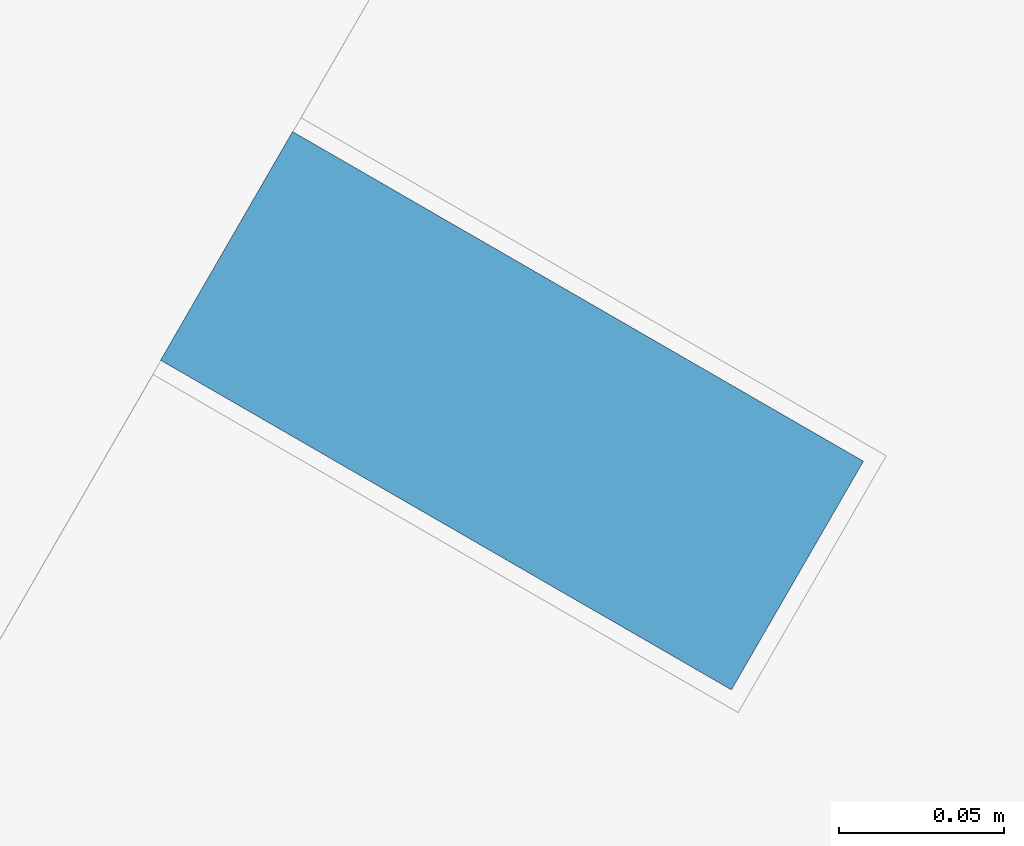
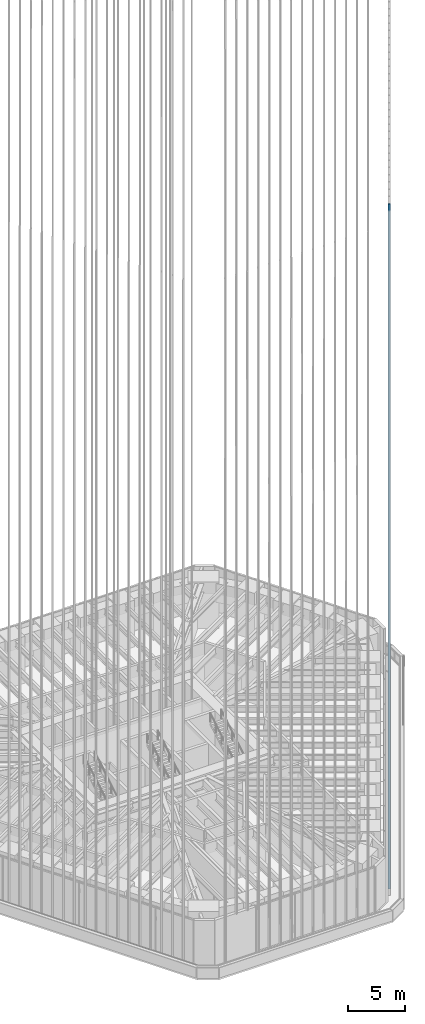
# One storey, part 79 of 228: 1 member, 1 element without a shape of its own.
"""IFC4 building model written with IfcOpenShell, lengths in metres."""

from ifc_helpers import new_model, si_unit, direction, frame, origin, origin_2d, place, context, subcontext, project, spatial, rectangle, extrude, material, material_profile, profile_set, type_object, element, aggregate, save


model = new_model("IFC4")

# Units and contexts
model_context = context("Model", 3, precision=1e-05, world=origin(), true_north=direction((0.0, 1.0)))
body_context = subcontext(model_context, "Body", "Model", "MODEL_VIEW")
ifc_project = project(units=[si_unit("LENGTHUNIT", "METRE"), si_unit("AREAUNIT", "SQUARE_METRE"), si_unit("VOLUMEUNIT", "CUBIC_METRE"), si_unit("PLANEANGLEUNIT", "RADIAN"), si_unit("MASSUNIT", "GRAM", prefix="KILO")], contexts=[model_context])

# Site, building, storey
site_placement = place(None, origin())
site = spatial("IfcSite", under=ifc_project, at=site_placement, CompositionType="ELEMENT")
building_placement = place(site_placement, origin())
building = spatial("IfcBuilding", under=site, at=building_placement, Name="Sandreach Pilgrim Tower", CompositionType="ELEMENT")
storey_placement = place(building_placement, frame((0.0, 0.0, 178.199951171875)))
storey = spatial("IfcBuildingStorey", under=building, at=storey_placement, Name="L44", CompositionType="ELEMENT", Elevation=178.199951171875)

# Curtain wall, member
ifc_material_1 = material(Name="Aluminium framed curtain wall", Category="aluminium")
curtain_wall_type = type_object("IfcCurtainWallType", Name="Upper hotel tower curtain wall", PredefinedType="NOTDEFINED", material=ifc_material_1)
curtain_wall_placement = place(storey_placement, origin())
curtain_wall = element("IfcCurtainWall", 1, at=curtain_wall_placement, inside=storey, type_object=curtain_wall_type, Name="CW-3 L44 SE", PredefinedType="NOTDEFINED")
ifc_material_2 = material(Name="Extruded terracotta on aluminium core", Category="masonry")
ifc_material_profile = material_profile(ifc_material_2, rectangle(XDim=0.080078125, YDim=0.199951171875, at=origin_2d()), Name="TBE 80X200")
ifc_profile_set = profile_set([ifc_material_profile], Name="Extruded terracotta on aluminium core")
member_type = type_object("IfcMemberType", Name="Terracotta baguette east", PredefinedType="USERDEFINED", material=ifc_profile_set)
member_placement = place(storey_placement, frame((10.96240234375, -24.132568359375, 0.0), z_axis=(0.0, 0.0, 1.0), x_axis=(-0.5, -0.866025403784, 0.0)))
member = element("IfcMember", 2, at=member_placement, type_object=member_type, Name="Baguette Z3 SE30", ObjectType="BAGUETTE", PredefinedType="USERDEFINED", context=body_context, shape_type="SweptSolid", body=[
    extrude(rectangle(XDim=0.080078125, YDim=0.199951171875, at=origin_2d()), origin(), (0.0, 0.0, 1.0), 73.239990234375),
])
aggregate(curtain_wall, [member])

save(model, "model.ifc")
